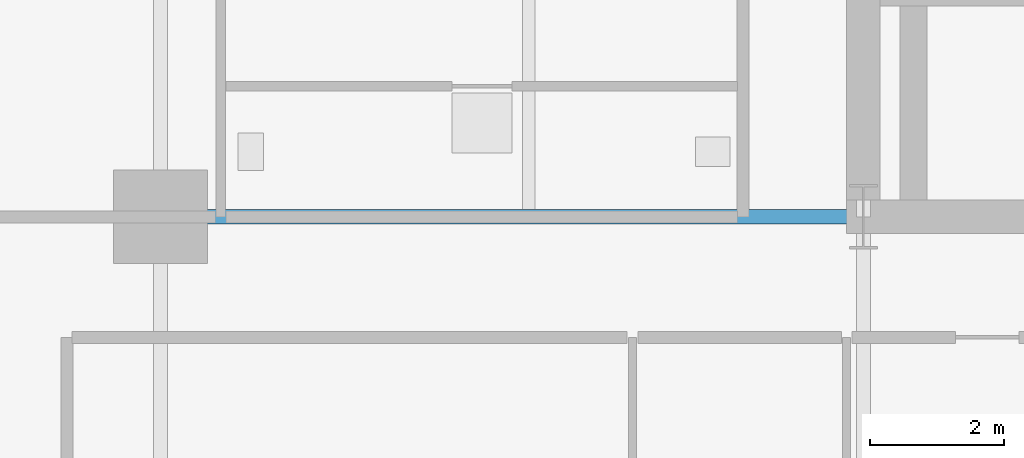
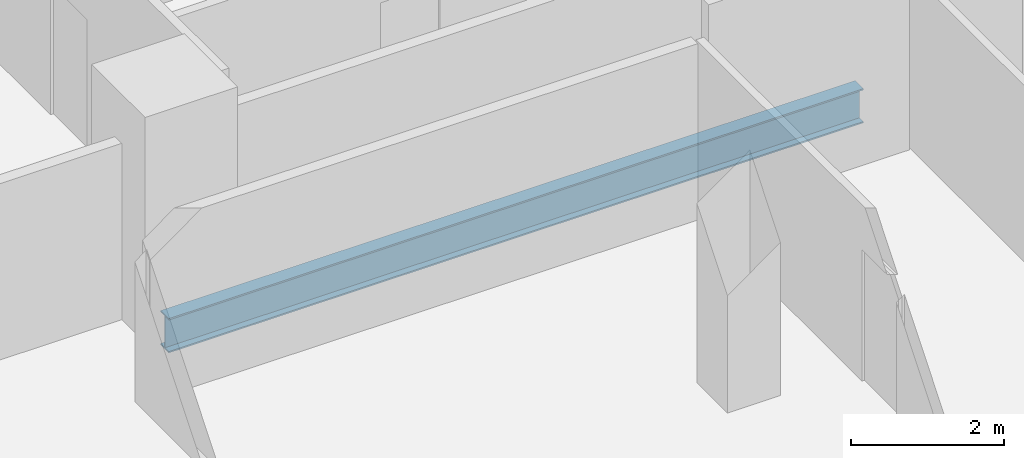
# One storey, part 5 of 23: 1 beam.
"""IFC4 building model written with IfcOpenShell, lengths in metres."""

from ifc_helpers import new_model, si_unit, direction, frame, origin, origin_2d, place, context, subcontext, project, spatial, i_section, extrude, material, material_profile, profile_set, type_object, element, save


model = new_model("IFC4")

# Units and contexts
model_context = context("Model", 3, precision=1e-05, world=origin(), true_north=direction((0.0, 1.0)))
body_context = subcontext(model_context, "Body", "Model", "MODEL_VIEW")
ifc_project = project(units=[si_unit("LENGTHUNIT", "METRE"), si_unit("AREAUNIT", "SQUARE_METRE"), si_unit("VOLUMEUNIT", "CUBIC_METRE"), si_unit("PLANEANGLEUNIT", "RADIAN"), si_unit("MASSUNIT", "GRAM", prefix="KILO")], contexts=[model_context])

# Site, building, storey
site_placement = place(None, origin())
site = spatial("IfcSite", under=ifc_project, at=site_placement, CompositionType="ELEMENT")
building_placement = place(site_placement, origin())
building = spatial("IfcBuilding", under=site, at=building_placement, Name="Barlavira Tower and Art Museum", CompositionType="ELEMENT")
storey_placement = place(building_placement, frame((0.0, 0.0, 75.60009765625)))
storey = spatial("IfcBuildingStorey", under=building, at=storey_placement, Name="L18", CompositionType="ELEMENT", Elevation=75.60009765625)

# Beam
ifc_material = material(Name="Steel S355", Category="steel")
ifc_material_profile = material_profile(ifc_material, i_section(OverallWidth=0.214111328125, OverallDepth=0.549072265625, WebThickness=0.0146484375, FlangeThickness=0.023681640625, at=origin_2d()), Name="W530x138.0")
ifc_profile_set = profile_set([ifc_material_profile], Name="Steel S355")
beam_type = type_object("IfcBeamType", Name="Zone 1 Primary Floor Girder W530x138 Steel S355", PredefinedType="BEAM", material=ifc_profile_set)
beam_placement = place(storey_placement, frame((-17.0, -7.5, -0.49462890625), z_axis=(1.0, 0.0, 0.0), x_axis=(0.0, 1.0, 0.0)))
element("IfcBeam", 1, at=beam_placement, inside=storey, type_object=beam_type, Name="L18 Girder R-W1", PredefinedType="BEAM", context=body_context, shape_type="SweptSolid", body=[
    extrude(i_section(OverallWidth=0.214111328125, OverallDepth=0.549072265625, WebThickness=0.0146484375, FlangeThickness=0.023681640625, at=origin_2d()), origin(), (0.0, 0.0, 1.0), 10.5),
])

save(model, "model.ifc")
